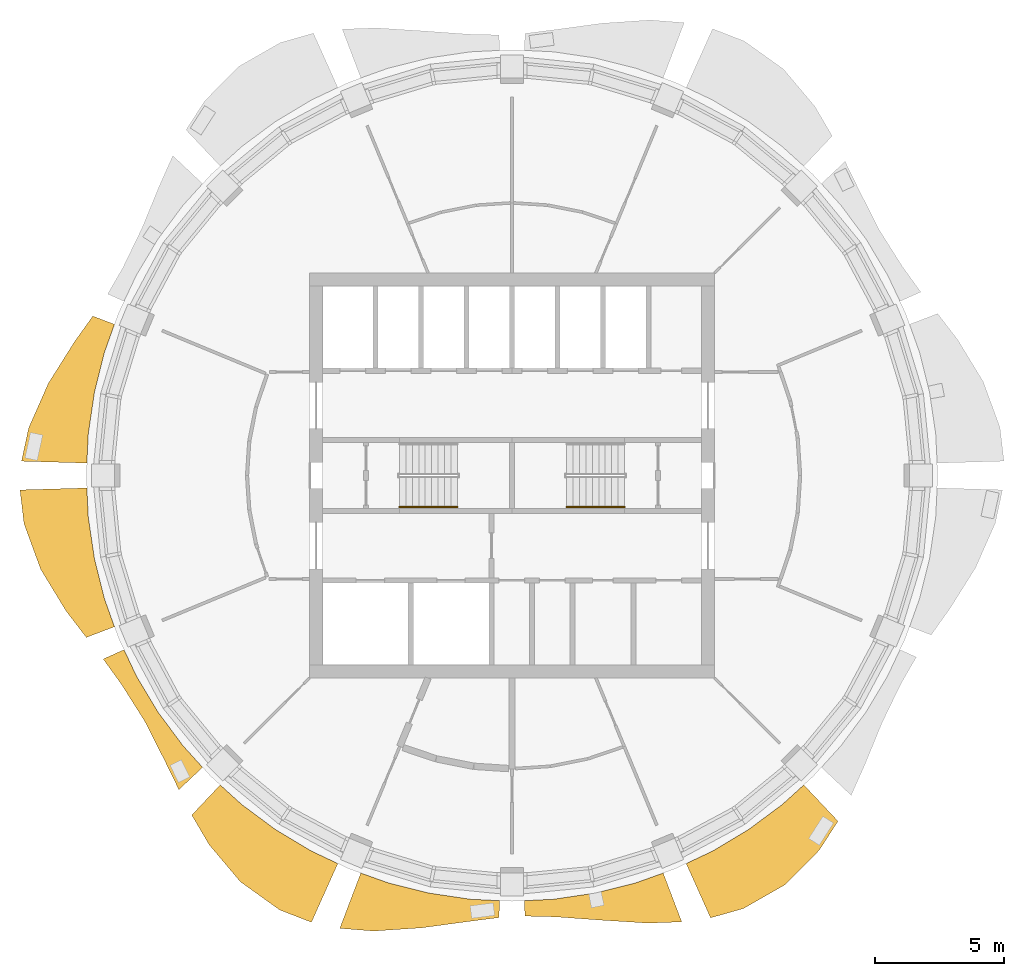
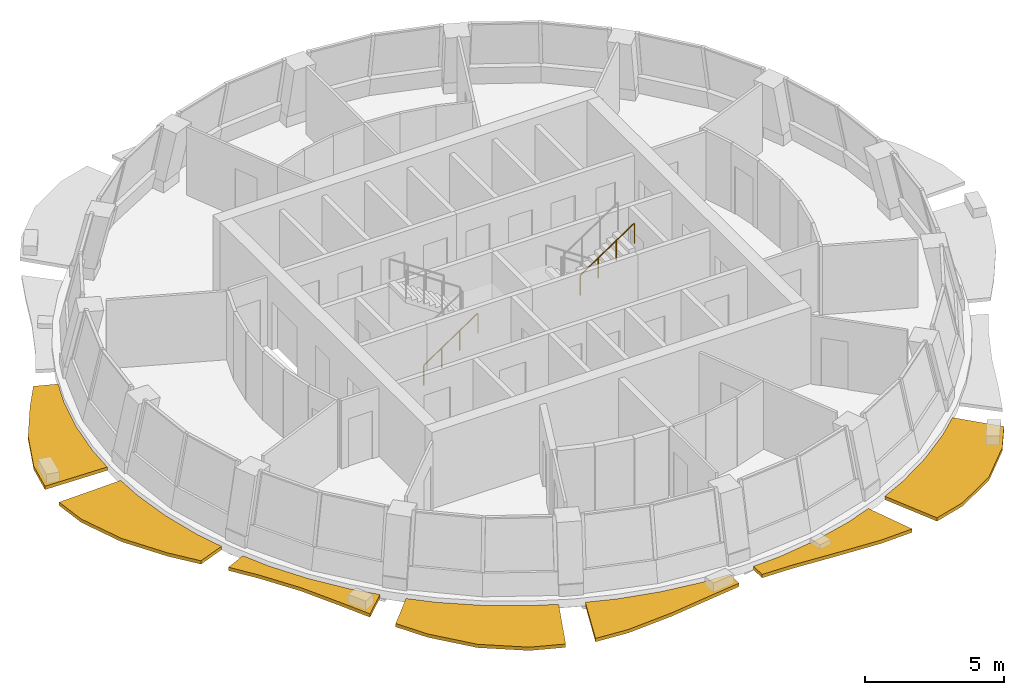
# One storey, part 8 of 11: 7 shading devices, 2 railings.
"""IFC4 building model written with IfcOpenShell, lengths in metres."""

from ifc_helpers import new_model, si_unit, direction, frame, origin, origin_2d, place, context, subcontext, project, spatial, polyline, circle, outline, extrude, material, type_object, element, save


model = new_model("IFC4")

# Units and contexts
model_context = context("Model", 3, precision=1e-05, world=origin(), true_north=direction((0.0, 1.0)))
body_context = subcontext(model_context, "Body", "Model", "MODEL_VIEW")
ifc_project = project(units=[si_unit("LENGTHUNIT", "METRE"), si_unit("AREAUNIT", "SQUARE_METRE"), si_unit("VOLUMEUNIT", "CUBIC_METRE"), si_unit("PLANEANGLEUNIT", "RADIAN"), si_unit("MASSUNIT", "GRAM", prefix="KILO")], contexts=[model_context])

# Site, building, storey
site_placement = place(None, origin())
site = spatial("IfcSite", under=ifc_project, at=site_placement, CompositionType="ELEMENT")
building_placement = place(site_placement, origin())
building = spatial("IfcBuilding", under=site, at=building_placement, Name="Polderwave Tower", CompositionType="ELEMENT")
storey_placement = place(building_placement, frame((0.0, 0.0, 214.449951171875)))
storey = spatial("IfcBuildingStorey", under=building, at=storey_placement, Name="L58", CompositionType="ELEMENT", Elevation=214.449951171875)

# Railings
ifc_material_1 = material(Name="Stainless steel", Category="steel")
railing_type = type_object("IfcRailingType", Name="Stair handrail 900", PredefinedType="HANDRAIL", material=ifc_material_1)
for number, where, name in (
    (1, (-4.3740234375, -1.22509765625, 0.16748046875), "L58 ST-A stair handrail 1"),
    (2, (2.1240234375, -1.22509765625, 1.842529296875), "L58 ST-B stair handrail 2"),
):
    element("IfcRailing", number, at=place(storey_placement, frame(where)), inside=storey, type_object=railing_type, Name=name, PredefinedType="HANDRAIL", context=body_context, shape_type="SweptSolid", body=[
        extrude(circle(Radius=0.02392578125, at=origin_2d()), frame((0.0, 0.0, 0.8759765625), z_axis=(0.830758306289, 0.0, 0.556633305266), x_axis=(0.0, 1.0, 0.0)), (0.0, 0.0, 1.0), 2.708251953125),
        extrude(circle(Radius=0.02099609375, at=origin_2d()), origin(), (0.0, 0.0, 1.0), 0.851806640625),
        extrude(circle(Radius=0.02099609375, at=origin_2d()), frame((0.75, 0.0, 0.50244140625)), (0.0, 0.0, 1.0), 0.851806640625),
        extrude(circle(Radius=0.02099609375, at=origin_2d()), frame((1.5, 0.0, 1.005126953125)), (0.0, 0.0, 1.0), 0.851806640625),
        extrude(circle(Radius=0.02099609375, at=origin_2d()), frame((2.25, 0.0, 1.507568359375)), (0.0, 0.0, 1.0), 0.851806640625),
    ])

# Shading devices
ifc_material_2 = material(Name="Terracotta", Category="masonry")
shading_device_type = type_object("IfcShadingDeviceType", Name="Terracotta sunshade band", PredefinedType="USERDEFINED", material=ifc_material_2)
shading_device_1_placement = place(storey_placement, frame((0.0, 0.0, -0.349853515625)))
element("IfcShadingDevice", 3, at=shading_device_1_placement, inside=storey, type_object=shading_device_type, Name="Sunshade band L58 8", ObjectType="SUNSHADE", PredefinedType="USERDEFINED", context=body_context, shape_type="SweptSolid", body=[
    extrude(outline(polyline([(-15.453369140625, 5.87744140625), (-15.83740234375, 4.80419921875), (-16.23193359375, 3.228759765625), (-16.47021484375, 1.622314453125), (-16.526123046875, 0.483642578125), (-19.0673828125, 0.55810546875), (-18.78759765625, 1.850341796875), (-18.022216796875, 3.584716796875), (-17.029541015625, 5.166015625), (-16.29443359375, 6.197509765625), (-15.453369140625, 5.87744140625)])), origin(), (0.0, 0.0, 1.0), 0.14990234375),
])
shading_device_2_placement = place(storey_placement, frame((0.0, 0.0, -0.349853515625)))
element("IfcShadingDevice", 4, at=shading_device_2_placement, inside=storey, type_object=shading_device_type, Name="Sunshade band L58 9", ObjectType="SUNSHADE", PredefinedType="USERDEFINED", context=body_context, shape_type="SweptSolid", body=[
    extrude(outline(polyline([(-16.526123046875, -0.483642578125), (-16.47021484375, -1.622314453125), (-16.23193359375, -3.228759765625), (-15.83740234375, -4.80419921875), (-15.453369140625, -5.87744140625), (-16.547119140625, -6.29345703125), (-17.339111328125, -5.259765625), (-18.32080078125, -3.644287109375), (-18.969970703125, -1.868408203125), (-19.125, -0.559814453125), (-16.526123046875, -0.483642578125)])), origin(), (0.0, 0.0, 1.0), 0.14990234375),
])
shading_device_3_placement = place(storey_placement, frame((0.0, 0.0, -0.349853515625)))
element("IfcShadingDevice", 5, at=shading_device_3_placement, inside=storey, type_object=shading_device_type, Name="Sunshade band L58 10", ObjectType="SUNSHADE", PredefinedType="USERDEFINED", context=body_context, shape_type="SweptSolid", body=[
    extrude(outline(polyline([(-15.083251953125, -6.77099609375), (-14.595703125, -7.801513671875), (-13.7607421875, -9.194580078125), (-12.793212890625, -10.499267578125), (-12.02783203125, -11.34375), (-12.948486328125, -12.212158203125), (-13.50048828125, -11.07958984375), (-14.281005859375, -9.542236328125), (-15.18212890625, -8.114990234375), (-15.891357421875, -7.134033203125), (-15.083251953125, -6.77099609375)])), origin(), (0.0, 0.0, 1.0), 0.14990234375),
])
shading_device_4_placement = place(storey_placement, frame((0.0, 0.0, -0.349853515625)))
element("IfcShadingDevice", 6, at=shading_device_4_placement, inside=storey, type_object=shading_device_type, Name="Sunshade band L58 11", ObjectType="SUNSHADE", PredefinedType="USERDEFINED", context=body_context, shape_type="SweptSolid", body=[
    extrude(outline(polyline([(-11.34375, -12.02783203125), (-10.499267578125, -12.793212890625), (-9.194580078125, -13.7607421875), (-7.801513671875, -14.595703125), (-6.77099609375, -15.083251953125), (-7.796142578125, -17.36669921875), (-9.027099609375, -16.888427734375), (-10.5546875, -15.79638671875), (-11.77490234375, -14.347900390625), (-12.448486328125, -13.198974609375), (-11.34375, -12.02783203125)])), origin(), (0.0, 0.0, 1.0), 0.14990234375),
])
shading_device_5_placement = place(storey_placement, frame((0.0, 0.0, -0.349853515625)))
element("IfcShadingDevice", 7, at=shading_device_5_placement, inside=storey, type_object=shading_device_type, Name="Sunshade band L58 12", ObjectType="SUNSHADE", PredefinedType="USERDEFINED", context=body_context, shape_type="SweptSolid", body=[
    extrude(outline(polyline([(-5.87744140625, -15.453369140625), (-4.80419921875, -15.83740234375), (-3.228759765625, -16.23193359375), (-1.622314453125, -16.47021484375), (-0.483642578125, -16.526123046875), (-0.5029296875, -17.18359375), (-1.70751953125, -17.337646484375), (-3.4970703125, -17.580322265625), (-5.37158203125, -17.707275390625), (-6.6953125, -17.60302734375), (-5.87744140625, -15.453369140625)])), origin(), (0.0, 0.0, 1.0), 0.14990234375),
])
shading_device_6_placement = place(storey_placement, frame((0.0, 0.0, -0.349853515625)))
element("IfcShadingDevice", 8, at=shading_device_6_placement, inside=storey, type_object=shading_device_type, Name="Sunshade band L58 13", ObjectType="SUNSHADE", PredefinedType="USERDEFINED", context=body_context, shape_type="SweptSolid", body=[
    extrude(outline(polyline([(0.483642578125, -16.526123046875), (1.622314453125, -16.47021484375), (3.228759765625, -16.23193359375), (4.80419921875, -15.83740234375), (5.87744140625, -15.453369140625), (6.59912109375, -17.3505859375), (5.277587890625, -17.39794921875), (3.4375, -17.28173828125), (1.689697265625, -17.1552734375), (0.501220703125, -17.1259765625), (0.483642578125, -16.526123046875)])), origin(), (0.0, 0.0, 1.0), 0.14990234375),
])
shading_device_7_placement = place(storey_placement, frame((0.0, 0.0, -0.349853515625)))
element("IfcShadingDevice", 9, at=shading_device_7_placement, inside=storey, type_object=shading_device_type, Name="Sunshade band L58 14", ObjectType="SUNSHADE", PredefinedType="USERDEFINED", context=body_context, shape_type="SweptSolid", body=[
    extrude(outline(polyline([(6.77099609375, -15.083251953125), (7.801513671875, -14.595703125), (9.194580078125, -13.7607421875), (10.499267578125, -12.793212890625), (11.34375, -12.02783203125), (12.671142578125, -13.435302734375), (11.94873046875, -14.559814453125), (10.625, -15.9013671875), (8.99658203125, -16.83154296875), (7.718994140625, -17.1943359375), (6.77099609375, -15.083251953125)])), origin(), (0.0, 0.0, 1.0), 0.14990234375),
])

save(model, "model.ifc")
